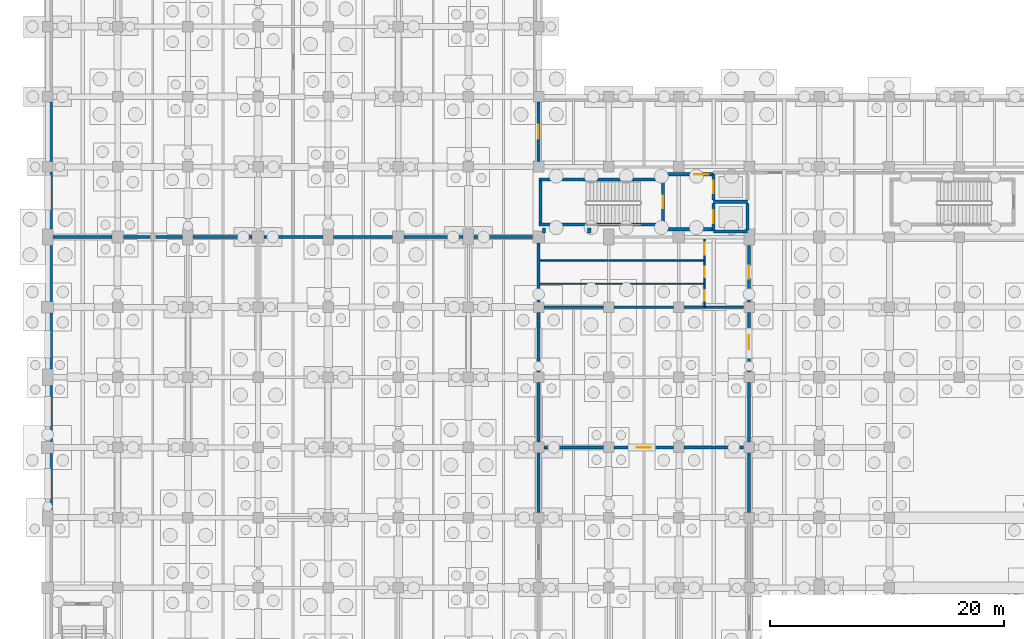
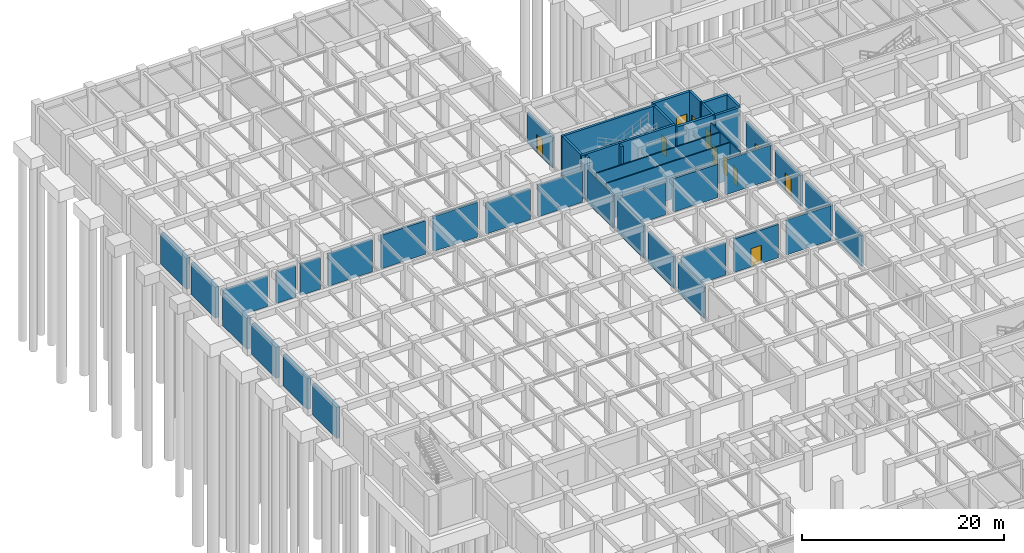
# One storey, part 40 of 54: 45 walls, 11 doors, 11 openings.
"""IFC4 building model written with IfcOpenShell, lengths in metres."""

from ifc_helpers import new_model, si_unit, direction, frame, frame_2d, origin, place, context, subcontext, project, spatial, rectangle, extrude, material, layer, layer_set, type_object, element, fill, save


model = new_model("IFC4")

# Units and contexts
model_context = context("Model", 3, precision=1e-05, world=origin(), true_north=direction((0.0, 1.0)))
body_context = subcontext(model_context, "Body", "Model", "MODEL_VIEW")
ifc_project = project(units=[si_unit("LENGTHUNIT", "METRE"), si_unit("AREAUNIT", "SQUARE_METRE"), si_unit("VOLUMEUNIT", "CUBIC_METRE"), si_unit("PLANEANGLEUNIT", "RADIAN"), si_unit("MASSUNIT", "GRAM", prefix="KILO"), si_unit("THERMODYNAMICTEMPERATUREUNIT", "KELVIN"), si_unit("POWERUNIT", "WATT")], contexts=[model_context])

# Site, building, storey
site_placement = place(None, origin())
site = spatial("IfcSite", under=ifc_project, at=site_placement, CompositionType="ELEMENT")
building_placement = place(site_placement, origin())
building = spatial("IfcBuilding", under=site, at=building_placement, Name="Phaisarnlok Congress Hotel", CompositionType="ELEMENT")
storey_placement = place(building_placement, frame((0.0, 0.0, -4.800048828125)))
storey = spatial("IfcBuildingStorey", under=building, at=storey_placement, Name="B01", CompositionType="ELEMENT", Elevation=-4.800048828125)

# Walls
ifc_material_1 = material(Name="Concrete C40/50", Category="concrete")
ifc_layer_1 = layer(ifc_material_1, 0.419921875, Name="Concrete C40/50")
ifc_layer_set_1 = layer_set([ifc_layer_1], Name="Concrete C40/50")
wall_type_1 = type_object("IfcWallType", Name="WL-EXT-420", PredefinedType="SOLIDWALL", material=ifc_layer_set_1)
wall_1_placement = place(storey_placement, frame((0.2099609375, 95.544921875, 0.0), z_axis=(0.0, 0.0, 1.0), x_axis=(0.0, -1.0, 0.0)))
element("IfcWall", 1, at=wall_1_placement, inside=storey, type_object=wall_type_1, Name="Exterior wall EW-08 (B01)", PredefinedType="SOLIDWALL", context=body_context, shape_type="SweptSolid", body=[
    extrude(rectangle(XDim=5.08984375, YDim=0.419921875, at=frame_2d((2.544921875, 0.0))), origin(), (0.0, 0.0, 1.0), 3.75),
])
wall_2_placement = place(storey_placement, frame((0.2099609375, 89.544921875, 0.0), z_axis=(0.0, 0.0, 1.0), x_axis=(0.0, -1.0, 0.0)))
element("IfcWall", 2, at=wall_2_placement, inside=storey, type_object=wall_type_1, Name="Exterior wall EW-08 (B01)", PredefinedType="SOLIDWALL", context=body_context, shape_type="SweptSolid", body=[
    extrude(rectangle(XDim=4.83984375, YDim=0.419921875, at=frame_2d((2.419921875, 0.0))), origin(), (0.0, 0.0, 1.0), 3.75),
])
for number, where, z_axis, x_axis, name in (
    (3, (0.2099609375, 83.294921875, 0.0), (0.0, 0.0, 1.0), (0.0, -1.0, 0.0), "Exterior wall EW-08 (B01)"),
    (4, (0.2099609375, 77.4951171875, 0.0), (0.0, 0.0, 1.0), (0.0, -1.0, 0.0), "Exterior wall EW-08 (B01)"),
    (5, (0.2099609375, 71.294921875, 0.0), (0.0, 0.0, 1.0), (0.0, -1.0, 0.0), "Exterior wall EW-08 (B01)"),
    (6, (0.2099609375, 65.4951171875, 0.0), (0.0, 0.0, 1.0), (0.0, -1.0, 0.0), "Exterior wall EW-08 (B01)"),
):
    element("IfcWall", number, at=place(storey_placement, frame(where, z_axis=z_axis, x_axis=x_axis)), inside=storey, type_object=wall_type_1, Name=name, PredefinedType="SOLIDWALL", context=body_context, shape_type="SweptSolid", body=[
        extrude(rectangle(XDim=4.7900390625, YDim=0.419921875, at=frame_2d((2.39501953125, 0.0))), origin(), (0.0, 0.0, 1.0), 3.75),
    ])
ifc_material_2 = material(Name="Lightweight Metal-Stud Gypsum Partition", Category="gypsum")
ifc_layer_2 = layer(ifc_material_2, 0.1201171875, Name="Lightweight Metal-Stud Gypsum Partition")
ifc_layer_set_2 = layer_set([ifc_layer_2], Name="Lightweight Metal-Stud Gypsum Partition")
wall_type_2 = type_object("IfcWallType", Name="WL-INT-120", PredefinedType="PARTITIONING", material=ifc_layer_set_2)
wall_3_placement = place(storey_placement, frame((42.0, 80.0, 0.0), z_axis=(0.0, 0.0, 1.0), x_axis=(1.0, 0.0, 0.0)))
element("IfcWall", 7, at=wall_3_placement, inside=storey, type_object=wall_type_2, Name="Interior partition wall IW-07 (B01)", PredefinedType="PARTITIONING", context=body_context, shape_type="SweptSolid", body=[
    extrude(rectangle(XDim=14.199951171875, YDim=0.1201171875, at=frame_2d((7.10009765625, 0.0))), origin(), (0.0, 0.0, 1.0), 4.5),
])

# Wall, openings, doors
ifc_material_3 = material(Name="Moisture-Resistant Gypsum Partition", Category="gypsum")
ifc_layer_3 = layer(ifc_material_3, 0.135009765625, Name="Moisture-Resistant Gypsum Partition")
ifc_layer_set_3 = layer_set([ifc_layer_3], Name="Moisture-Resistant Gypsum Partition")
wall_type_3 = type_object("IfcWallType", Name="WL-INT-135", PredefinedType="PARTITIONING", material=ifc_layer_set_3)
wall_4_placement = place(storey_placement, frame((56.199951171875, 78.0, 0.0), z_axis=(0.0, 0.0, 1.0), x_axis=(0.0, 1.0, 0.0)))
wall_4 = element("IfcWall", 8, at=wall_4_placement, inside=storey, type_object=wall_type_3, Name="Interior partition wall IW-06 (B01)", PredefinedType="PARTITIONING", context=body_context, shape_type="SweptSolid", body=[
    extrude(rectangle(XDim=5.820068359375, YDim=0.135009765625, at=frame_2d((2.91015625, 0.0))), origin(), (0.0, 0.0, 1.0), 4.5),
])
opening_1_placement = place(wall_4_placement, frame((0.550048828125, 0.0, 0.0)))
opening_1 = element("IfcOpeningElement", 9, at=opening_1_placement, cuts=wall_4, Name="Opening D-0015", PredefinedType="OPENING", context=body_context, shape_type="SweptSolid", body=[
    extrude(rectangle(XDim=0.89990234375, YDim=2.10009765625, at=frame_2d((0.449951171875, 1.050048828125))), frame((0.0, 0.07763671875, 0.0), z_axis=(0.0, -1.0, 0.0), x_axis=(1.0, 0.0, 0.0)), (0.0, 0.0, 1.0), 0.155029296875),
])
opening_2_placement = place(wall_4_placement, frame((2.550048828125, 0.0, 0.0)))
opening_2 = element("IfcOpeningElement", 10, at=opening_2_placement, cuts=wall_4, Name="Opening D-0016", PredefinedType="OPENING", context=body_context, shape_type="SweptSolid", body=[
    extrude(rectangle(XDim=0.89990234375, YDim=2.10009765625, at=frame_2d((0.449951171875, 1.050048828125))), frame((0.0, 0.07763671875, 0.0), z_axis=(0.0, -1.0, 0.0), x_axis=(1.0, 0.0, 0.0)), (0.0, 0.0, 1.0), 0.155029296875),
])
opening_3_placement = place(wall_4_placement, frame((4.5, 0.0, 0.0)))
opening_3 = element("IfcOpeningElement", 11, at=opening_3_placement, cuts=wall_4, Name="Opening D-0017", PredefinedType="OPENING", context=body_context, shape_type="SweptSolid", body=[
    extrude(rectangle(XDim=1.0, YDim=2.14990234375, at=frame_2d((0.5, 1.074951171875))), frame((0.0, 0.07763671875, 0.0), z_axis=(0.0, -1.0, 0.0), x_axis=(1.0, 0.0, 0.0)), (0.0, 0.0, 1.0), 0.155029296875),
])
ifc_material_4 = material(Name="Solid-Core Oak Veneer", Category="wood")
door_type_1 = type_object("IfcDoorType", Name="DR-INT-1000", OperationType="NOTDEFINED", PredefinedType="DOOR", material=ifc_material_4)
door_1_placement = place(opening_3_placement, origin())
door_1 = element("IfcDoor", 12, at=door_1_placement, inside=storey, type_object=door_type_1, Name="Interior door D-0017 (B01)", OperationType="SINGLE_SWING_RIGHT", OverallHeight=2.14990234375, OverallWidth=1.0, PredefinedType="DOOR", context=body_context, shape_type="SweptSolid", body=[
    extrude(rectangle(XDim=1.0, YDim=2.14990234375, at=frame_2d((0.5, 1.074951171875))), frame((0.0, 0.02490234375, 0.0), z_axis=(0.0, -1.0, 0.0), x_axis=(1.0, 0.0, 0.0)), (0.0, 0.0, 1.0), 0.050048828125),
])
fill(opening_3, door_1)
door_type_2 = type_object("IfcDoorType", Name="DR-INT-900", OperationType="NOTDEFINED", PredefinedType="DOOR", material=ifc_material_4)
door_2_placement = place(opening_1_placement, origin())
door_2 = element("IfcDoor", 13, at=door_2_placement, inside=storey, type_object=door_type_2, Name="Interior door D-0015 (B01)", OperationType="SINGLE_SWING_RIGHT", OverallHeight=2.10009765625, OverallWidth=0.89990234375, PredefinedType="DOOR", context=body_context, shape_type="SweptSolid", body=[
    extrude(rectangle(XDim=0.89990234375, YDim=2.10009765625, at=frame_2d((0.449951171875, 1.050048828125))), frame((0.0, 0.02490234375, 0.0), z_axis=(0.0, -1.0, 0.0), x_axis=(1.0, 0.0, 0.0)), (0.0, 0.0, 1.0), 0.050048828125),
])
fill(opening_1, door_2)
door_3_placement = place(opening_2_placement, origin())
door_3 = element("IfcDoor", 14, at=door_3_placement, inside=storey, type_object=door_type_2, Name="Interior door D-0016 (B01)", OperationType="SINGLE_SWING_LEFT", OverallHeight=2.10009765625, OverallWidth=0.89990234375, PredefinedType="DOOR", context=body_context, shape_type="SweptSolid", body=[
    extrude(rectangle(XDim=0.89990234375, YDim=2.10009765625, at=frame_2d((0.449951171875, 1.050048828125))), frame((0.0, 0.02490234375, 0.0), z_axis=(0.0, -1.0, 0.0), x_axis=(1.0, 0.0, 0.0)), (0.0, 0.0, 1.0), 0.050048828125),
])
fill(opening_2, door_3)

# Walls
wall_5_placement = place(storey_placement, frame((42.0, 82.0, 0.0), z_axis=(0.0, 0.0, 1.0), x_axis=(1.0, 0.0, 0.0)))
element("IfcWall", 15, at=wall_5_placement, inside=storey, type_object=wall_type_3, Name="Interior partition wall IW-06 (B01)", PredefinedType="PARTITIONING", context=body_context, shape_type="SweptSolid", body=[
    extrude(rectangle(XDim=14.199951171875, YDim=0.135009765625, at=frame_2d((7.10009765625, 0.0))), origin(), (0.0, 0.0, 1.0), 4.5),
])
ifc_layer_4 = layer(ifc_material_1, 0.239990234375, Name="Concrete C40/50")
ifc_layer_set_4 = layer_set([ifc_layer_4], Name="Concrete C40/50")
wall_type_4 = type_object("IfcWallType", Name="WL-INT-240", PredefinedType="PARTITIONING", material=ifc_layer_set_4)
wall_6_placement = place(storey_placement, frame((42.0, 60.455078125, 0.0), z_axis=(0.0, 0.0, 1.0), x_axis=(0.0, 1.0, 0.0)))
element("IfcWall", 16, at=wall_6_placement, inside=storey, type_object=wall_type_4, Name="Interior partition wall IW-01 (B01)", PredefinedType="PARTITIONING", context=body_context, shape_type="SweptSolid", body=[
    extrude(rectangle(XDim=5.08984375, YDim=0.239990234375, at=frame_2d((2.544921875, 0.0))), origin(), (0.0, 0.0, 1.0), 3.699951171875),
])
wall_7_placement = place(storey_placement, frame((42.0, 66.455078125, 0.0), z_axis=(0.0, 0.0, 1.0), x_axis=(0.0, 1.0, 0.0)))
element("IfcWall", 17, at=wall_7_placement, inside=storey, type_object=wall_type_4, Name="Interior partition wall IW-01 (B01)", PredefinedType="PARTITIONING", context=body_context, shape_type="SweptSolid", body=[
    extrude(rectangle(XDim=5.08984375, YDim=0.239990234375, at=frame_2d((2.544921875, 0.0))), origin(), (0.0, 0.0, 1.0), 3.800048828125),
])
wall_8_placement = place(storey_placement, frame((42.0, 72.455078125, 0.0), z_axis=(0.0, 0.0, 1.0), x_axis=(0.0, 1.0, 0.0)))
element("IfcWall", 18, at=wall_8_placement, inside=storey, type_object=wall_type_4, Name="Interior partition wall IW-01 (B01)", PredefinedType="PARTITIONING", context=body_context, shape_type="SweptSolid", body=[
    extrude(rectangle(XDim=5.08984375, YDim=0.239990234375, at=frame_2d((2.544921875, 0.0))), origin(), (0.0, 0.0, 1.0), 3.949951171875),
])
wall_9_placement = place(storey_placement, frame((42.0, 78.455078125, 0.0), z_axis=(0.0, 0.0, 1.0), x_axis=(0.0, 1.0, 0.0)))
element("IfcWall", 19, at=wall_9_placement, inside=storey, type_object=wall_type_4, Name="Interior partition wall IW-01 (B01)", PredefinedType="PARTITIONING", context=body_context, shape_type="SweptSolid", body=[
    extrude(rectangle(XDim=5.0400390625, YDim=0.239990234375, at=frame_2d((2.52001953125, 0.0))), origin(), (0.0, 0.0, 1.0), 4.0),
])

# Wall, opening, door
wall_10_placement = place(storey_placement, frame((42.0, 90.455078125, 0.0), z_axis=(0.0, 0.0, 1.0), x_axis=(0.0, 1.0, 0.0)))
wall_10 = element("IfcWall", 20, at=wall_10_placement, inside=storey, type_object=wall_type_4, Name="Interior partition wall IW-01 (B01)", PredefinedType="PARTITIONING", context=body_context, shape_type="SweptSolid", body=[
    extrude(rectangle(XDim=5.08984375, YDim=0.239990234375, at=frame_2d((2.544921875, 0.0))), origin(), (0.0, 0.0, 1.0), 3.699951171875),
])
opening_4_placement = place(wall_10_placement, frame((1.945068359375, 0.0, 0.0)))
opening_4 = element("IfcOpeningElement", 21, at=opening_4_placement, cuts=wall_10, Name="Opening D-0013", PredefinedType="OPENING", context=body_context, shape_type="SweptSolid", body=[
    extrude(rectangle(XDim=1.199951171875, YDim=2.199951171875, at=frame_2d((0.60009765625, 1.10009765625))), frame((0.0, 0.1298828125, 0.0), z_axis=(0.0, -1.0, 0.0), x_axis=(1.0, 0.0, 0.0)), (0.0, 0.0, 1.0), 0.260009765625),
])
ifc_material_5 = material(Name="Fire-Rated Steel Frame & Timber Leaf", Category="steel")
door_type_3 = type_object("IfcDoorType", Name="DR-FD60-1200", OperationType="NOTDEFINED", PredefinedType="DOOR", material=ifc_material_5)
door_4_placement = place(opening_4_placement, origin())
door_4 = element("IfcDoor", 22, at=door_4_placement, inside=storey, type_object=door_type_3, Name="Interior door D-0013 (B01)", OperationType="SINGLE_SWING_RIGHT", OverallHeight=2.199951171875, OverallWidth=1.199951171875, PredefinedType="DOOR", context=body_context, shape_type="SweptSolid", body=[
    extrude(rectangle(XDim=1.199951171875, YDim=2.199951171875, at=frame_2d((0.60009765625, 1.10009765625))), frame((0.0, 0.02490234375, 0.0), z_axis=(0.0, -1.0, 0.0), x_axis=(1.0, 0.0, 0.0)), (0.0, 0.0, 1.0), 0.050048828125),
])
fill(opening_4, door_4)

# Walls
for number, where, z_axis, x_axis, name in (
    (23, (60.0, 60.455078125, 0.0), (0.0, 0.0, 1.0), (0.0, 1.0, 0.0), "Interior partition wall IW-01 (B01)"),
    (24, (60.0, 66.455078125, 0.0), (0.0, 0.0, 1.0), (0.0, 1.0, 0.0), "Interior partition wall IW-01 (B01)"),
):
    element("IfcWall", number, at=place(storey_placement, frame(where, z_axis=z_axis, x_axis=x_axis)), inside=storey, type_object=wall_type_4, Name=name, PredefinedType="PARTITIONING", context=body_context, shape_type="SweptSolid", body=[
        extrude(rectangle(XDim=5.08984375, YDim=0.239990234375, at=frame_2d((2.544921875, 0.0))), origin(), (0.0, 0.0, 1.0), 3.699951171875),
    ])

# Wall, opening, door
wall_11_placement = place(storey_placement, frame((60.0, 72.455078125, 0.0), z_axis=(0.0, 0.0, 1.0), x_axis=(0.0, 1.0, 0.0)))
wall_11 = element("IfcWall", 25, at=wall_11_placement, inside=storey, type_object=wall_type_4, Name="Interior partition wall IW-01 (B01)", PredefinedType="PARTITIONING", context=body_context, shape_type="SweptSolid", body=[
    extrude(rectangle(XDim=5.08984375, YDim=0.239990234375, at=frame_2d((2.544921875, 0.0))), origin(), (0.0, 0.0, 1.0), 3.699951171875),
])
opening_5_placement = place(wall_11_placement, frame((1.945068359375, 0.0, 0.0)))
opening_5 = element("IfcOpeningElement", 26, at=opening_5_placement, cuts=wall_11, Name="Opening D-0008", PredefinedType="OPENING", context=body_context, shape_type="SweptSolid", body=[
    extrude(rectangle(XDim=1.199951171875, YDim=2.199951171875, at=frame_2d((0.60009765625, 1.10009765625))), frame((0.0, 0.1298828125, 0.0), z_axis=(0.0, -1.0, 0.0), x_axis=(1.0, 0.0, 0.0)), (0.0, 0.0, 1.0), 0.260009765625),
])
door_5_placement = place(opening_5_placement, origin())
door_5 = element("IfcDoor", 27, at=door_5_placement, inside=storey, type_object=door_type_3, Name="Interior door D-0008 (B01)", OperationType="SINGLE_SWING_LEFT", OverallHeight=2.199951171875, OverallWidth=1.199951171875, PredefinedType="DOOR", context=body_context, shape_type="SweptSolid", body=[
    extrude(rectangle(XDim=1.199951171875, YDim=2.199951171875, at=frame_2d((0.60009765625, 1.10009765625))), frame((0.0, 0.02490234375, 0.0), z_axis=(0.0, -1.0, 0.0), x_axis=(1.0, 0.0, 0.0)), (0.0, 0.0, 1.0), 0.050048828125),
])
fill(opening_5, door_5)

wall_12_placement = place(storey_placement, frame((60.0, 78.455078125, 0.0), z_axis=(0.0, 0.0, 1.0), x_axis=(0.0, 1.0, 0.0)))
wall_12 = element("IfcWall", 28, at=wall_12_placement, inside=storey, type_object=wall_type_4, Name="Interior partition wall IW-01 (B01)", PredefinedType="PARTITIONING", context=body_context, shape_type="SweptSolid", body=[
    extrude(rectangle(XDim=4.83984375, YDim=0.239990234375, at=frame_2d((2.419921875, 0.0))), origin(), (0.0, 0.0, 1.0), 3.699951171875),
])
opening_6_placement = place(wall_12_placement, frame((1.9951171875, 0.0, 0.0)))
opening_6 = element("IfcOpeningElement", 29, at=opening_6_placement, cuts=wall_12, Name="Opening D-0014", PredefinedType="OPENING", context=body_context, shape_type="SweptSolid", body=[
    extrude(rectangle(XDim=1.10009765625, YDim=2.14990234375, at=frame_2d((0.550048828125, 1.074951171875))), frame((0.0, 0.1298828125, 0.0), z_axis=(0.0, -1.0, 0.0), x_axis=(1.0, 0.0, 0.0)), (0.0, 0.0, 1.0), 0.260009765625),
])
door_type_4 = type_object("IfcDoorType", Name="DR-FD60-1100", OperationType="NOTDEFINED", PredefinedType="DOOR", material=ifc_material_5)
door_6_placement = place(opening_6_placement, origin())
door_6 = element("IfcDoor", 30, at=door_6_placement, inside=storey, type_object=door_type_4, Name="Interior door D-0014 (B01)", OperationType="SINGLE_SWING_LEFT", OverallHeight=2.14990234375, OverallWidth=1.10009765625, PredefinedType="DOOR", context=body_context, shape_type="SweptSolid", body=[
    extrude(rectangle(XDim=1.10009765625, YDim=2.14990234375, at=frame_2d((0.550048828125, 1.074951171875))), frame((0.0, 0.02490234375, 0.0), z_axis=(0.0, -1.0, 0.0), x_axis=(1.0, 0.0, 0.0)), (0.0, 0.0, 1.0), 0.050048828125),
])
fill(opening_6, door_6)

# Wall
wall_13_placement = place(storey_placement, frame((42.455078125, 66.0, 0.0), z_axis=(0.0, 0.0, 1.0), x_axis=(1.0, 0.0, 0.0)))
element("IfcWall", 31, at=wall_13_placement, inside=storey, type_object=wall_type_4, Name="Interior partition wall IW-01 (B01)", PredefinedType="PARTITIONING", context=body_context, shape_type="SweptSolid", body=[
    extrude(rectangle(XDim=5.08984375, YDim=0.239990234375, at=frame_2d((2.544921875, 0.0))), origin(), (0.0, 0.0, 1.0), 3.900146484375),
])

# Wall, opening, door
wall_14_placement = place(storey_placement, frame((48.455078125, 66.0, 0.0), z_axis=(0.0, 0.0, 1.0), x_axis=(1.0, 0.0, 0.0)))
wall_14 = element("IfcWall", 32, at=wall_14_placement, inside=storey, type_object=wall_type_4, Name="Interior partition wall IW-01 (B01)", PredefinedType="PARTITIONING", context=body_context, shape_type="SweptSolid", body=[
    extrude(rectangle(XDim=5.08984375, YDim=0.239990234375, at=frame_2d((2.544921875, 0.0))), origin(), (0.0, 0.0, 1.0), 4.050048828125),
])
opening_7_placement = place(wall_14_placement, frame((1.945068359375, 0.0, 0.0)))
opening_7 = element("IfcOpeningElement", 33, at=opening_7_placement, cuts=wall_14, Name="Opening D-0007", PredefinedType="OPENING", context=body_context, shape_type="SweptSolid", body=[
    extrude(rectangle(XDim=1.199951171875, YDim=2.199951171875, at=frame_2d((0.60009765625, 1.10009765625))), frame((0.0, 0.1298828125, 0.0), z_axis=(0.0, -1.0, 0.0), x_axis=(1.0, 0.0, 0.0)), (0.0, 0.0, 1.0), 0.260009765625),
])
door_7_placement = place(opening_7_placement, origin())
door_7 = element("IfcDoor", 34, at=door_7_placement, inside=storey, type_object=door_type_3, Name="Interior door D-0007 (B01)", OperationType="SINGLE_SWING_RIGHT", OverallHeight=2.199951171875, OverallWidth=1.199951171875, PredefinedType="DOOR", context=body_context, shape_type="SweptSolid", body=[
    extrude(rectangle(XDim=1.199951171875, YDim=2.199951171875, at=frame_2d((0.60009765625, 1.10009765625))), frame((0.0, 0.02490234375, 0.0), z_axis=(0.0, -1.0, 0.0), x_axis=(1.0, 0.0, 0.0)), (0.0, 0.0, 1.0), 0.050048828125),
])
fill(opening_7, door_7)

# Walls
wall_15_placement = place(storey_placement, frame((54.455078125, 66.0, 0.0), z_axis=(0.0, 0.0, 1.0), x_axis=(1.0, 0.0, 0.0)))
element("IfcWall", 35, at=wall_15_placement, inside=storey, type_object=wall_type_4, Name="Interior partition wall IW-01 (B01)", PredefinedType="PARTITIONING", context=body_context, shape_type="SweptSolid", body=[
    extrude(rectangle(XDim=5.08984375, YDim=0.239990234375, at=frame_2d((2.544921875, 0.0))), origin(), (0.0, 0.0, 1.0), 4.2099609375),
])
wall_16_placement = place(storey_placement, frame((42.455078125, 78.0, 0.0), z_axis=(0.0, 0.0, 1.0), x_axis=(1.0, 0.0, 0.0)))
element("IfcWall", 36, at=wall_16_placement, inside=storey, type_object=wall_type_4, Name="Interior partition wall IW-01 (B01)", PredefinedType="PARTITIONING", context=body_context, shape_type="SweptSolid", body=[
    extrude(rectangle(XDim=5.08984375, YDim=0.239990234375, at=frame_2d((2.544921875, 0.0))), origin(), (0.0, 0.0, 1.0), 3.900146484375),
])
wall_17_placement = place(storey_placement, frame((48.455078125, 78.0, 0.0), z_axis=(0.0, 0.0, 1.0), x_axis=(1.0, 0.0, 0.0)))
element("IfcWall", 37, at=wall_17_placement, inside=storey, type_object=wall_type_4, Name="Interior partition wall IW-01 (B01)", PredefinedType="PARTITIONING", context=body_context, shape_type="SweptSolid", body=[
    extrude(rectangle(XDim=5.08984375, YDim=0.239990234375, at=frame_2d((2.544921875, 0.0))), origin(), (0.0, 0.0, 1.0), 4.050048828125),
])
wall_18_placement = place(storey_placement, frame((54.455078125, 78.0, 0.0), z_axis=(0.0, 0.0, 1.0), x_axis=(1.0, 0.0, 0.0)))
element("IfcWall", 38, at=wall_18_placement, inside=storey, type_object=wall_type_4, Name="Interior partition wall IW-01 (B01)", PredefinedType="PARTITIONING", context=body_context, shape_type="SweptSolid", body=[
    extrude(rectangle(XDim=5.08984375, YDim=0.239990234375, at=frame_2d((2.544921875, 0.0))), origin(), (0.0, 0.0, 1.0), 4.2099609375),
])
wall_19_placement = place(storey_placement, frame((0.455078125, 84.0, 0.0), z_axis=(0.0, 0.0, 1.0), x_axis=(1.0, 0.0, 0.0)))
element("IfcWall", 39, at=wall_19_placement, inside=storey, type_object=wall_type_4, Name="Interior partition wall IW-01 (B01)", PredefinedType="PARTITIONING", context=body_context, shape_type="SweptSolid", body=[
    extrude(rectangle(XDim=5.0400390625, YDim=0.239990234375, at=frame_2d((2.52001953125, 0.0))), origin(), (0.0, 0.0, 1.0), 3.699951171875),
])
wall_20_placement = place(storey_placement, frame((6.5048828125, 84.0, 0.0), z_axis=(0.0, 0.0, 1.0), x_axis=(1.0, 0.0, 0.0)))
element("IfcWall", 40, at=wall_20_placement, inside=storey, type_object=wall_type_4, Name="Interior partition wall IW-01 (B01)", PredefinedType="PARTITIONING", context=body_context, shape_type="SweptSolid", body=[
    extrude(rectangle(XDim=2.240234375, YDim=0.239990234375, at=frame_2d((1.1201171875, 0.0))), origin(), (0.0, 0.0, 1.0), 3.800048828125),
])
wall_21_placement = place(storey_placement, frame((9.2548828125, 84.0, 0.0), z_axis=(0.0, 0.0, 1.0), x_axis=(1.0, 0.0, 0.0)))
element("IfcWall", 41, at=wall_21_placement, inside=storey, type_object=wall_type_4, Name="Interior partition wall IW-01 (B01)", PredefinedType="PARTITIONING", context=body_context, shape_type="SweptSolid", body=[
    extrude(rectangle(XDim=2.2900390625, YDim=0.239990234375, at=frame_2d((1.14501953125, 0.0))), origin(), (0.0, 0.0, 1.0), 3.800048828125),
])
wall_22_placement = place(storey_placement, frame((12.455078125, 84.0, 0.0), z_axis=(0.0, 0.0, 1.0), x_axis=(1.0, 0.0, 0.0)))
element("IfcWall", 42, at=wall_22_placement, inside=storey, type_object=wall_type_4, Name="Interior partition wall IW-01 (B01)", PredefinedType="PARTITIONING", context=body_context, shape_type="SweptSolid", body=[
    extrude(rectangle(XDim=5.0400390625, YDim=0.239990234375, at=frame_2d((2.52001953125, 0.0))), origin(), (0.0, 0.0, 1.0), 3.900146484375),
])
wall_23_placement = place(storey_placement, frame((18.5048828125, 84.0, 0.0), z_axis=(0.0, 0.0, 1.0), x_axis=(1.0, 0.0, 0.0)))
element("IfcWall", 43, at=wall_23_placement, inside=storey, type_object=wall_type_4, Name="Interior partition wall IW-01 (B01)", PredefinedType="PARTITIONING", context=body_context, shape_type="SweptSolid", body=[
    extrude(rectangle(XDim=5.0400390625, YDim=0.239990234375, at=frame_2d((2.52001953125, 0.0))), origin(), (0.0, 0.0, 1.0), 4.050048828125),
])
wall_24_placement = place(storey_placement, frame((24.455078125, 84.0, 0.0), z_axis=(0.0, 0.0, 1.0), x_axis=(1.0, 0.0, 0.0)))
element("IfcWall", 44, at=wall_24_placement, inside=storey, type_object=wall_type_4, Name="Interior partition wall IW-01 (B01)", PredefinedType="PARTITIONING", context=body_context, shape_type="SweptSolid", body=[
    extrude(rectangle(XDim=5.0400390625, YDim=0.239990234375, at=frame_2d((2.52001953125, 0.0))), origin(), (0.0, 0.0, 1.0), 4.2099609375),
])
wall_25_placement = place(storey_placement, frame((30.5048828125, 84.0, 0.0), z_axis=(0.0, 0.0, 1.0), x_axis=(1.0, 0.0, 0.0)))
element("IfcWall", 45, at=wall_25_placement, inside=storey, type_object=wall_type_4, Name="Interior partition wall IW-01 (B01)", PredefinedType="PARTITIONING", context=body_context, shape_type="SweptSolid", body=[
    extrude(rectangle(XDim=5.0400390625, YDim=0.239990234375, at=frame_2d((2.52001953125, 0.0))), origin(), (0.0, 0.0, 1.0), 3.699951171875),
])
wall_26_placement = place(storey_placement, frame((36.455078125, 84.0, 0.0), z_axis=(0.0, 0.0, 1.0), x_axis=(1.0, 0.0, 0.0)))
element("IfcWall", 46, at=wall_26_placement, inside=storey, type_object=wall_type_4, Name="Interior partition wall IW-01 (B01)", PredefinedType="PARTITIONING", context=body_context, shape_type="SweptSolid", body=[
    extrude(rectangle(XDim=5.0400390625, YDim=0.239990234375, at=frame_2d((2.52001953125, 0.0))), origin(), (0.0, 0.0, 1.0), 3.800048828125),
])
ifc_material_6 = material(Name="Concrete C50/60", Category="concrete")
ifc_layer_5 = layer(ifc_material_6, 0.260009765625, Name="Concrete C50/60")
ifc_layer_set_5 = layer_set([ifc_layer_5], Name="Concrete C50/60")
wall_type_5 = type_object("IfcWallType", Name="WL-SHR-260", PredefinedType="SHEAR", material=ifc_layer_set_5)
for number, where, z_axis, x_axis, name in (
    (47, (42.0400390625, 85.070068359375, -0.5), (0.0, 0.0, 1.0), (1.0, 0.0, 0.0), "Stair shaft shear wall SW-04 (CORE-5 B01)"),
    (48, (42.0400390625, 88.929931640625, -0.5), (0.0, 0.0, 1.0), (1.0, 0.0, 0.0), "Stair shaft shear wall SW-04 (CORE-5 B01)"),
):
    element("IfcWall", number, at=place(storey_placement, frame(where, z_axis=z_axis, x_axis=x_axis)), inside=storey, type_object=wall_type_5, Name=name, PredefinedType="SHEAR", context=body_context, shape_type="SweptSolid", body=[
        extrude(rectangle(XDim=10.719970703125, YDim=0.260009765625, at=frame_2d((5.35986328125, 0.0))), origin(), (0.0, 0.0, 1.0), 5.300048828125),
    ])
wall_27_placement = place(storey_placement, frame((42.169921875, 85.199951171875, -0.5), z_axis=(0.0, 0.0, 1.0), x_axis=(0.0, 1.0, 0.0)))
element("IfcWall", 49, at=wall_27_placement, inside=storey, type_object=wall_type_5, Name="Stair shaft shear wall SW-04 (CORE-5 B01)", PredefinedType="SHEAR", context=body_context, shape_type="SweptSolid", body=[
    extrude(rectangle(XDim=3.60009765625, YDim=0.260009765625, at=frame_2d((1.800048828125, 0.0))), origin(), (0.0, 0.0, 1.0), 5.300048828125),
])

# Wall, opening, door
wall_28_placement = place(storey_placement, frame((52.6298828125, 85.199951171875, -0.5), z_axis=(0.0, 0.0, 1.0), x_axis=(0.0, 1.0, 0.0)))
wall_28 = element("IfcWall", 50, at=wall_28_placement, inside=storey, type_object=wall_type_5, Name="Stair shaft shear wall SW-04 (CORE-5 B01)", PredefinedType="SHEAR", context=body_context, shape_type="SweptSolid", body=[
    extrude(rectangle(XDim=3.60009765625, YDim=0.260009765625, at=frame_2d((1.800048828125, 0.0))), origin(), (0.0, 0.0, 1.0), 5.300048828125),
])
opening_8_placement = place(wall_28_placement, frame((1.25, 0.0, 0.5)))
opening_8 = element("IfcOpeningElement", 51, at=opening_8_placement, cuts=wall_28, Name="Opening FD-121", PredefinedType="OPENING", context=body_context, shape_type="SweptSolid", body=[
    extrude(rectangle(XDim=1.10009765625, YDim=2.14990234375, at=frame_2d((0.550048828125, 1.074951171875))), frame((0.0, 0.14013671875, 0.0), z_axis=(0.0, -1.0, 0.0), x_axis=(1.0, 0.0, 0.0)), (0.0, 0.0, 1.0), 0.280029296875),
])
door_8_placement = place(opening_8_placement, origin())
door_8 = element("IfcDoor", 52, at=door_8_placement, inside=storey, type_object=door_type_4, Name="Stair enclosure fire door FD-121 (B01)", OperationType="SINGLE_SWING_RIGHT", OverallHeight=2.14990234375, OverallWidth=1.10009765625, PredefinedType="DOOR", context=body_context, shape_type="SweptSolid", body=[
    extrude(rectangle(XDim=1.10009765625, YDim=2.14990234375, at=frame_2d((0.550048828125, 1.074951171875))), frame((0.0, 0.02490234375, 0.0), z_axis=(0.0, -1.0, 0.0), x_axis=(1.0, 0.0, 0.0)), (0.0, 0.0, 1.0), 0.050048828125),
])
fill(opening_8, door_8)

# Walls
wall_29_placement = place(storey_placement, frame((56.969970703125, 84.469970703125, -0.5), z_axis=(0.0, 0.0, 1.0), x_axis=(1.0, 0.0, 0.0)))
element("IfcWall", 53, at=wall_29_placement, inside=storey, type_object=wall_type_5, Name="Lift shaft shear wall SW-04 (LF-CP1 B01)", PredefinedType="SHEAR", context=body_context, shape_type="SweptSolid", body=[
    extrude(rectangle(XDim=2.909912109375, YDim=0.260009765625, at=frame_2d((1.455078125, 0.0))), origin(), (0.0, 0.0, 1.0), 5.300048828125),
])
wall_30_placement = place(storey_placement, frame((59.8798828125, 84.60009765625, -0.5), z_axis=(0.0, 0.0, 1.0), x_axis=(0.0, 1.0, 0.0)))
element("IfcWall", 54, at=wall_30_placement, inside=storey, type_object=wall_type_5, Name="Lift shaft shear wall SW-04 (LF-CP1 B01)", PredefinedType="SHEAR", context=body_context, shape_type="SweptSolid", body=[
    extrude(rectangle(XDim=2.25, YDim=0.260009765625, at=frame_2d((1.125, 0.0))), origin(), (0.0, 0.0, 1.0), 5.300048828125),
])

# Wall, opening, door
wall_31_placement = place(storey_placement, frame((56.969970703125, 84.60009765625, -0.5), z_axis=(0.0, 0.0, 1.0), x_axis=(0.0, 1.0, 0.0)))
wall_31 = element("IfcWall", 55, at=wall_31_placement, inside=storey, type_object=wall_type_5, Name="Lift shaft front wall SW-04 (LF-CP1 B01)", PredefinedType="SHEAR", context=body_context, shape_type="SweptSolid", body=[
    extrude(rectangle(XDim=2.25, YDim=0.260009765625, at=frame_2d((1.125, 0.0))), origin(), (0.0, 0.0, 1.0), 5.300048828125),
])
opening_9_placement = place(wall_31_placement, frame((0.574951171875, 0.0, 0.5)))
opening_9 = element("IfcOpeningElement", 56, at=opening_9_placement, cuts=wall_31, Name="Opening LD-106", PredefinedType="OPENING", context=body_context, shape_type="SweptSolid", body=[
    extrude(rectangle(XDim=1.10009765625, YDim=2.199951171875, at=frame_2d((0.550048828125, 1.10009765625))), frame((0.0, 0.14013671875, 0.0), z_axis=(0.0, -1.0, 0.0), x_axis=(1.0, 0.0, 0.0)), (0.0, 0.0, 1.0), 0.280029296875),
])
ifc_material_7 = material(Name="Brushed Stainless Steel Grade 304", Category="steel")
door_type_5 = type_object("IfcDoorType", Name="DR-LD-1100", OperationType="DOUBLE_DOOR_SLIDING", PredefinedType="DOOR", material=ifc_material_7)
door_9_placement = place(opening_9_placement, origin())
door_9 = element("IfcDoor", 57, at=door_9_placement, inside=storey, type_object=door_type_5, Name="Lift landing sliding door LD-106 (LF-CP1 B01)", OperationType="DOUBLE_DOOR_SLIDING", OverallHeight=2.199951171875, OverallWidth=1.10009765625, PredefinedType="DOOR", context=body_context, shape_type="SweptSolid", body=[
    extrude(rectangle(XDim=1.10009765625, YDim=2.199951171875, at=frame_2d((0.550048828125, 1.10009765625))), frame((0.0, 0.02490234375, 0.0), z_axis=(0.0, -1.0, 0.0), x_axis=(1.0, 0.0, 0.0)), (0.0, 0.0, 1.0), 0.050048828125),
])
fill(opening_9, door_9)

wall_32_placement = place(storey_placement, frame((56.969970703125, 87.14990234375, -0.5), z_axis=(0.0, 0.0, 1.0), x_axis=(0.0, 1.0, 0.0)))
wall_32 = element("IfcWall", 58, at=wall_32_placement, inside=storey, type_object=wall_type_5, Name="Lift shaft front wall SW-04 (LF-SP1 B01)", PredefinedType="SHEAR", context=body_context, shape_type="SweptSolid", body=[
    extrude(rectangle(XDim=2.25, YDim=0.260009765625, at=frame_2d((1.125, 0.0))), origin(), (0.0, 0.0, 1.0), 5.300048828125),
])
opening_10_placement = place(wall_32_placement, frame((0.574951171875, 0.0, 0.5)))
opening_10 = element("IfcOpeningElement", 59, at=opening_10_placement, cuts=wall_32, Name="Opening LD-112", PredefinedType="OPENING", context=body_context, shape_type="SweptSolid", body=[
    extrude(rectangle(XDim=1.10009765625, YDim=2.199951171875, at=frame_2d((0.550048828125, 1.10009765625))), frame((0.0, 0.14013671875, 0.0), z_axis=(0.0, -1.0, 0.0), x_axis=(1.0, 0.0, 0.0)), (0.0, 0.0, 1.0), 0.280029296875),
])
door_10_placement = place(opening_10_placement, origin())
door_10 = element("IfcDoor", 60, at=door_10_placement, inside=storey, type_object=door_type_5, Name="Lift landing sliding door LD-112 (LF-SP1 B01)", OperationType="DOUBLE_DOOR_SLIDING", OverallHeight=2.199951171875, OverallWidth=1.10009765625, PredefinedType="DOOR", context=body_context, shape_type="SweptSolid", body=[
    extrude(rectangle(XDim=1.10009765625, YDim=2.199951171875, at=frame_2d((0.550048828125, 1.10009765625))), frame((0.0, 0.02490234375, 0.0), z_axis=(0.0, -1.0, 0.0), x_axis=(1.0, 0.0, 0.0)), (0.0, 0.0, 1.0), 0.050048828125),
])
fill(opening_10, door_10)

# Walls
for number, where, z_axis, x_axis, name in (
    (61, (42.469970703125, 84.330078125, -0.5), (0.0, 0.0, 1.0), (0.0, 1.0, 0.0), "Service riser shaft wall SW-04 (CORE-5 B01)"),
    (62, (46.330078125, 84.330078125, -0.5), (0.0, 0.0, 1.0), (0.0, 1.0, 0.0), "Service riser shaft wall SW-04 (CORE-5 B01)"),
):
    element("IfcWall", number, at=place(storey_placement, frame(where, z_axis=z_axis, x_axis=x_axis)), inside=storey, type_object=wall_type_5, Name=name, PredefinedType="SHEAR", context=body_context, shape_type="SweptSolid", body=[
        extrude(rectangle(XDim=0.43994140625, YDim=0.260009765625, at=frame_2d((0.219970703125, 0.0))), origin(), (0.0, 0.0, 1.0), 5.300048828125),
    ])
ifc_layer_6 = layer(ifc_material_6, 0.300048828125, Name="Concrete C50/60")
ifc_layer_set_6 = layer_set([ifc_layer_6], Name="Concrete C50/60")
wall_type_6 = type_object("IfcWallType", Name="WL-SHR-300", PredefinedType="SHEAR", material=ifc_layer_set_6)
wall_33_placement = place(storey_placement, frame((56.969970703125, 87.0, -0.5), z_axis=(0.0, 0.0, 1.0), x_axis=(1.0, 0.0, 0.0)))
element("IfcWall", 63, at=wall_33_placement, inside=storey, type_object=wall_type_6, Name="Lift shaft divider shear wall SW-03 (LF-CP1 B01)", PredefinedType="SHEAR", context=body_context, shape_type="SweptSolid", body=[
    extrude(rectangle(XDim=2.909912109375, YDim=0.300048828125, at=frame_2d((1.455078125, 0.0))), origin(), (0.0, 0.0, 1.0), 5.300048828125),
])

# Wall, opening, door
wall_34_placement = place(storey_placement, frame((52.679931640625, 89.35009765625, -0.5), z_axis=(0.0, 0.0, 1.0), x_axis=(1.0, 0.0, 0.0)))
wall_34 = element("IfcWall", 64, at=wall_34_placement, inside=storey, type_object=wall_type_6, Name="Core lobby EI-120 wall SW-03 (CORE-5 B01)", PredefinedType="SHEAR", context=body_context, shape_type="SweptSolid", body=[
    extrude(rectangle(XDim=4.239990234375, YDim=0.300048828125, at=frame_2d((2.1201171875, 0.0))), origin(), (0.0, 0.0, 1.0), 5.300048828125),
])
opening_11_placement = place(wall_34_placement, frame((2.64990234375, 0.0, 0.5)))
opening_11 = element("IfcOpeningElement", 65, at=opening_11_placement, cuts=wall_34, Name="Opening FD-127", PredefinedType="OPENING", context=body_context, shape_type="SweptSolid", body=[
    extrude(rectangle(XDim=1.199951171875, YDim=2.199951171875, at=frame_2d((0.60009765625, 1.10009765625))), frame((0.0, 0.16015625, 0.0), z_axis=(0.0, -1.0, 0.0), x_axis=(1.0, 0.0, 0.0)), (0.0, 0.0, 1.0), 0.320068359375),
])
door_11_placement = place(opening_11_placement, origin())
door_11 = element("IfcDoor", 66, at=door_11_placement, inside=storey, type_object=door_type_3, Name="Firefighting lobby entrance door FD-127 (CORE-5 B01)", OperationType="SINGLE_SWING_RIGHT", OverallHeight=2.199951171875, OverallWidth=1.199951171875, PredefinedType="DOOR", context=body_context, shape_type="SweptSolid", body=[
    extrude(rectangle(XDim=1.199951171875, YDim=2.199951171875, at=frame_2d((0.60009765625, 1.10009765625))), frame((0.0, 0.02490234375, 0.0), z_axis=(0.0, -1.0, 0.0), x_axis=(1.0, 0.0, 0.0)), (0.0, 0.0, 1.0), 0.050048828125),
])
fill(opening_11, door_11)

# Wall
wall_35_placement = place(storey_placement, frame((52.679931640625, 84.64990234375, -0.5), z_axis=(0.0, 0.0, 1.0), x_axis=(1.0, 0.0, 0.0)))
element("IfcWall", 67, at=wall_35_placement, inside=storey, type_object=wall_type_6, Name="Core lobby EI-120 wall SW-03 (CORE-5 B01)", PredefinedType="SHEAR", context=body_context, shape_type="SweptSolid", body=[
    extrude(rectangle(XDim=4.239990234375, YDim=0.300048828125, at=frame_2d((2.1201171875, 0.0))), origin(), (0.0, 0.0, 1.0), 5.300048828125),
])

save(model, "model.ifc")
